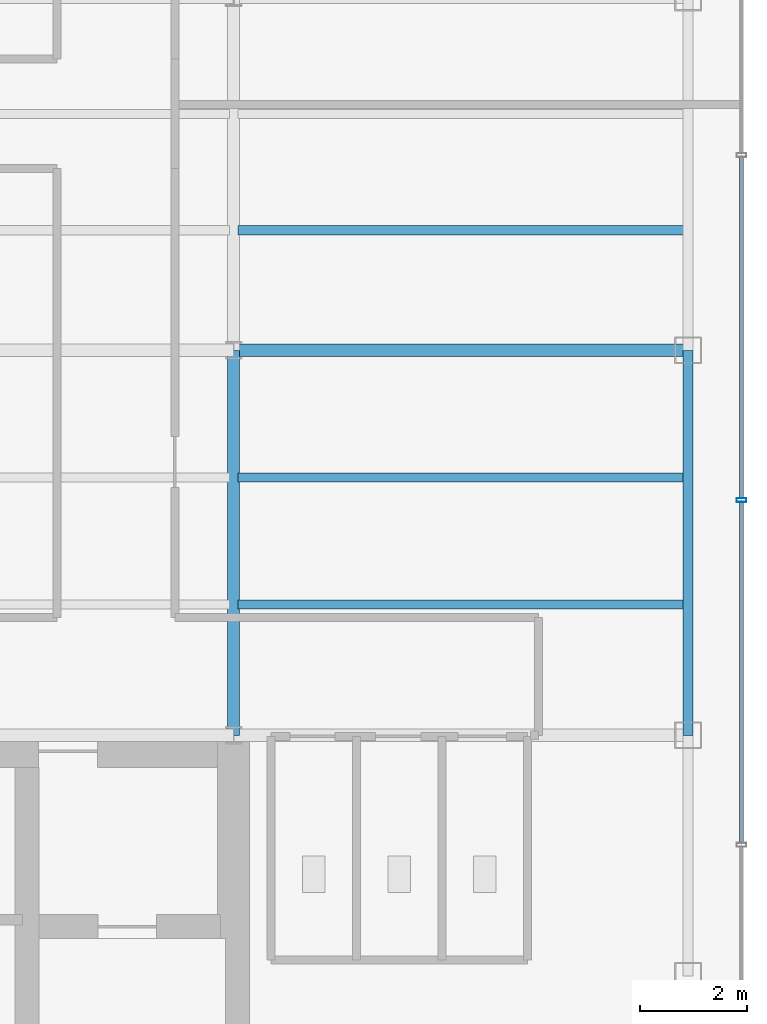
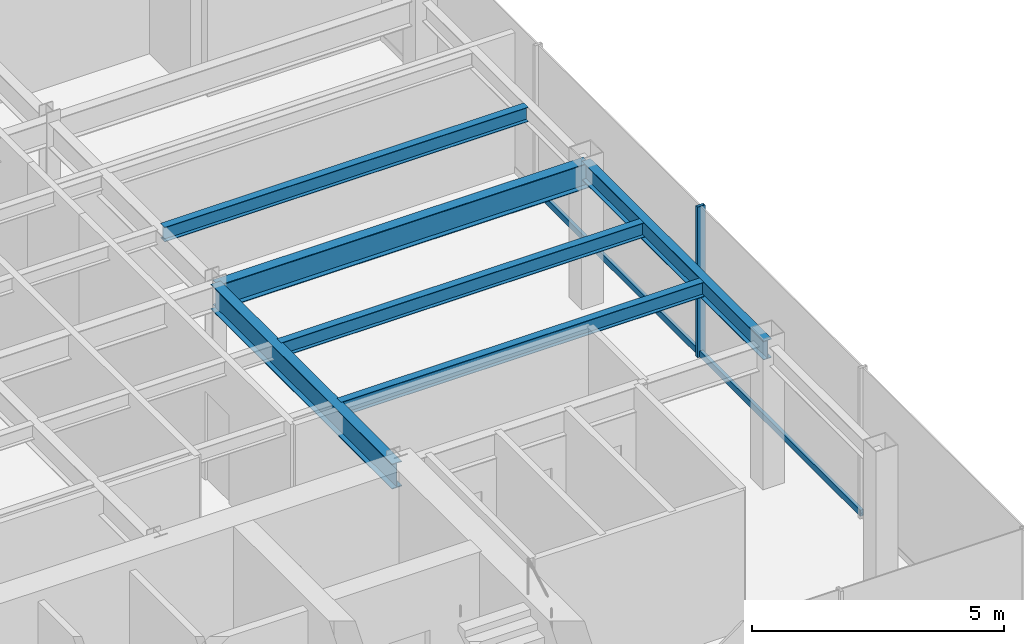
# One storey, part 10 of 22: 6 beams, 3 members, 1 element without a shape of its own.
"""IFC4 building model written with IfcOpenShell, lengths in metres."""

from ifc_helpers import new_model, si_unit, derived_unit, direction, frame, origin, origin_2d, place, context, subcontext, project, spatial, hollow_rectangle, i_section, extrude, source, transform, mapped, material, material_profile, profile_set, type_object, element, aggregate, save


model = new_model("IFC4")

# Units and contexts
model_context = context("Model", 3, precision=1e-05, world=origin(), true_north=direction((0.0, 1.0)))
body_context = subcontext(model_context, "Body", "Model", "MODEL_VIEW")
ifc_project = project(units=[si_unit("LENGTHUNIT", "METRE"), si_unit("AREAUNIT", "SQUARE_METRE"), si_unit("VOLUMEUNIT", "CUBIC_METRE"), si_unit("PLANEANGLEUNIT", "RADIAN"), si_unit("MASSUNIT", "GRAM", prefix="KILO"), derived_unit("THERMALTRANSMITTANCEUNIT", [(si_unit("POWERUNIT", "WATT"), 1), (si_unit("LENGTHUNIT", "METRE"), -2), (si_unit("THERMODYNAMICTEMPERATUREUNIT", "KELVIN"), -1)])], contexts=[model_context])

# Site, building, storey
site_placement = place(None, origin())
site = spatial("IfcSite", under=ifc_project, at=site_placement, CompositionType="ELEMENT")
building_placement = place(site_placement, origin())
building = spatial("IfcBuilding", under=site, at=building_placement, Name="Skarnbrae Concourse Arena and Tower", CompositionType="ELEMENT")
storey_placement = place(building_placement, frame((0.0, 0.0, 199.550048828125)))
storey = spatial("IfcBuildingStorey", under=building, at=storey_placement, Name="L51", CompositionType="ELEMENT", Elevation=199.550048828125)

# Beams
ifc_material_1 = material(Name="Steel CSA G40.21 350W", Category="steel")
ifc_material_profile_1 = material_profile(ifc_material_1, i_section(OverallWidth=0.22802734375, OverallDepth=0.60791015625, WebThickness=0.01123046875, FlangeThickness=0.017333984375, at=origin_2d()), Name="W610X113")
ifc_profile_set_1 = profile_set([ifc_material_profile_1], Name="Steel CSA G40.21 350W")
beam_type_1 = type_object("IfcBeamType", Name="BM-GIRD-W610X113", PredefinedType="BEAM", material=ifc_profile_set_1)
shared_shape_1 = source(origin(), body_context, "Body", "SweptSolid", [
    extrude(i_section(OverallWidth=0.22802734375, OverallDepth=0.60791015625, WebThickness=0.01123046875, FlangeThickness=0.017333984375, at=origin_2d()), origin(), (0.0, 0.0, 1.0), 8.5),
])
beam_1_placement = place(storey_placement, frame((33.5, 21.199951171875, 3.095947265625), z_axis=(1.0, 0.0, 0.0), x_axis=(0.0, 1.0, 0.0)))
element("IfcBeam", 1, at=beam_1_placement, inside=storey, type_object=beam_type_1, Name="L51 Primary E-W girder Y21.2-6", PredefinedType="BEAM", context=body_context, shape_type="MappedRepresentation", body=[
    mapped(shared_shape_1, transform((0.0, 0.0, 0.0))),
])
ifc_material_profile_2 = material_profile(ifc_material_1, i_section(OverallWidth=0.19091796875, OverallDepth=0.4599609375, WebThickness=0.010009765625, FlangeThickness=0.01611328125, at=origin_2d()), Name="W460X82")
ifc_profile_set_2 = profile_set([ifc_material_profile_2], Name="Steel CSA G40.21 350W")
beam_type_2 = type_object("IfcBeamType", Name="BM-SPAN-W460X82", PredefinedType="SPANDREL", material=ifc_profile_set_2)
shared_shape_2 = source(origin(), body_context, "Body", "SweptSolid", [
    extrude(i_section(OverallWidth=0.19091796875, OverallDepth=0.4599609375, WebThickness=0.010009765625, FlangeThickness=0.01611328125, at=origin_2d()), origin(), (0.0, 0.0, 1.0), 7.199951171875),
])
beam_2_placement = place(storey_placement, frame((42.0, 14.0, 3.169921875), z_axis=(0.0, 1.0, 0.0), x_axis=(-1.0, 0.0, 0.0)))
element("IfcBeam", 2, at=beam_2_placement, inside=storey, type_object=beam_type_2, Name="L51 Perimeter spandrel X42.0-2", PredefinedType="SPANDREL", context=body_context, shape_type="MappedRepresentation", body=[
    mapped(shared_shape_2, transform((0.0, 0.0, 0.0))),
])
shared_shape_3 = source(origin(), body_context, "Body", "SweptSolid", [
    extrude(i_section(OverallWidth=0.22802734375, OverallDepth=0.60791015625, WebThickness=0.01123046875, FlangeThickness=0.017333984375, at=origin_2d()), origin(), (0.0, 0.0, 1.0), 7.199951171875),
])
beam_3_placement = place(storey_placement, frame((33.5, 14.0, 3.095947265625), z_axis=(0.0, 1.0, 0.0), x_axis=(-1.0, 0.0, 0.0)))
element("IfcBeam", 3, at=beam_3_placement, inside=storey, type_object=beam_type_1, Name="L51 Primary N-S girder X33.5-1", PredefinedType="BEAM", context=body_context, shape_type="MappedRepresentation", body=[
    mapped(shared_shape_3, transform((0.0, 0.0, 0.0))),
])
ifc_material_profile_3 = material_profile(ifc_material_1, i_section(OverallWidth=0.1708984375, OverallDepth=0.35498046875, WebThickness=0.007080078125, FlangeThickness=0.01171875, at=origin_2d()), Name="W360X51")
ifc_profile_set_3 = profile_set([ifc_material_profile_3], Name="Steel CSA G40.21 350W")
beam_type_3 = type_object("IfcBeamType", Name="BM-JOIST-W360X51", PredefinedType="JOIST", material=ifc_profile_set_3)
shared_shape_4 = source(origin(), body_context, "Body", "SweptSolid", [
    extrude(i_section(OverallWidth=0.1708984375, OverallDepth=0.35498046875, WebThickness=0.007080078125, FlangeThickness=0.01171875, at=origin_2d()), origin(), (0.0, 0.0, 1.0), 8.33984375),
])
for number, where, z_axis, x_axis, name in (
    (4, (33.580078125, 16.447998046875, 3.222412109375), (1.0, 0.0, 0.0), (0.0, 1.0, 0.0), "L51 Secondary floor joist 1.1.6"),
    (5, (33.580078125, 18.823974609375, 3.222412109375), (1.0, 0.0, 0.0), (0.0, 1.0, 0.0), "L51 Secondary floor joist 1.2.6"),
    (6, (33.580078125, 23.444091796875, 3.222412109375), (1.0, 0.0, 0.0), (0.0, 1.0, 0.0), "L51 Secondary floor joist 2.1.6"),
):
    element("IfcBeam", number, at=place(storey_placement, frame(where, z_axis=z_axis, x_axis=x_axis)), inside=storey, type_object=beam_type_3, Name=name, PredefinedType="JOIST", context=body_context, shape_type="MappedRepresentation", body=[
        mapped(shared_shape_4, transform((0.0, 0.0, 0.0))),
    ])

# Curtain wall, members
ifc_material_2 = material(Name="Bronze anodised aluminium 6063-T6", Category="aluminium")
curtain_wall_type = type_object("IfcCurtainWallType", Name="CW-SYS-05-HIGHZONE", PredefinedType="USERDEFINED", material=ifc_material_2)
curtain_wall_placement = place(storey_placement, origin())
curtain_wall = element("IfcCurtainWall", 7, at=curtain_wall_placement, inside=storey, type_object=curtain_wall_type, Name="L51 Unitised curtain wall CW-L51-E04", ObjectType="UNITISED CURTAIN WALL", PredefinedType="USERDEFINED")
ifc_material_profile_4 = material_profile(ifc_material_2, hollow_rectangle(XDim=0.074951171875, YDim=0.179931640625, WallThickness=0.00390625, at=origin_2d()), Name="ALU-MULL-75X180")
ifc_profile_set_4 = profile_set([ifc_material_profile_4], Name="Bronze anodised aluminium 6063-T6")
member_type_1 = type_object("IfcMemberType", Name="CWM-CW-05", PredefinedType="MULLION", material=ifc_profile_set_4)
shared_shape_5 = source(origin(), body_context, "Body", "SweptSolid", [
    extrude(hollow_rectangle(XDim=0.074951171875, YDim=0.179931640625, WallThickness=0.00390625, at=origin_2d()), origin(), (0.0, 0.0, 1.0), 3.64990234375),
])
member_1_placement = place(storey_placement, frame((43.0, 18.39990234375, 0.0), z_axis=(0.0, 0.0, 1.0), x_axis=(0.0, 1.0, 0.0)))
member_1 = element("IfcMember", 8, at=member_1_placement, type_object=member_type_1, Name="CW-L51-E04 Mullion 3", PredefinedType="MULLION", context=body_context, shape_type="MappedRepresentation", body=[
    mapped(shared_shape_5, transform((0.0, 0.0, 0.0))),
])
ifc_material_profile_5 = material_profile(ifc_material_2, hollow_rectangle(XDim=0.074951171875, YDim=0.14990234375, WallThickness=0.00390625, at=origin_2d()), Name="ALU-TRAN-75X150")
ifc_profile_set_5 = profile_set([ifc_material_profile_5], Name="Bronze anodised aluminium 6063-T6")
member_type_2 = type_object("IfcMemberType", Name="CWT-CW-05", PredefinedType="USERDEFINED", material=ifc_profile_set_5)
shared_shape_6 = source(origin(), body_context, "Body", "SweptSolid", [
    extrude(hollow_rectangle(XDim=0.074951171875, YDim=0.14990234375, WallThickness=0.00390625, at=origin_2d()), origin(), (0.0, 0.0, 1.0), 6.375),
])
member_2_placement = place(storey_placement, frame((43.0, 11.987548828125, 0.074951171875), z_axis=(0.0, 1.0, 0.0), x_axis=(-1.0, 0.0, 0.0)))
member_2 = element("IfcMember", 9, at=member_2_placement, type_object=member_type_2, Name="CW-L51-E04 Transom 2", ObjectType="TRANSOM", PredefinedType="USERDEFINED", context=body_context, shape_type="MappedRepresentation", body=[
    mapped(shared_shape_6, transform((0.0, 0.0, 0.0))),
])
member_3_placement = place(storey_placement, frame((43.0, 18.4375, 0.074951171875), z_axis=(0.0, 1.0, 0.0), x_axis=(-1.0, 0.0, 0.0)))
member_3 = element("IfcMember", 10, at=member_3_placement, type_object=member_type_2, Name="CW-L51-E04 Transom 3", ObjectType="TRANSOM", PredefinedType="USERDEFINED", context=body_context, shape_type="MappedRepresentation", body=[
    mapped(shared_shape_6, transform((0.0, 0.0, 0.0))),
])
aggregate(curtain_wall, [member_1, member_2, member_3])

save(model, "model.ifc")
